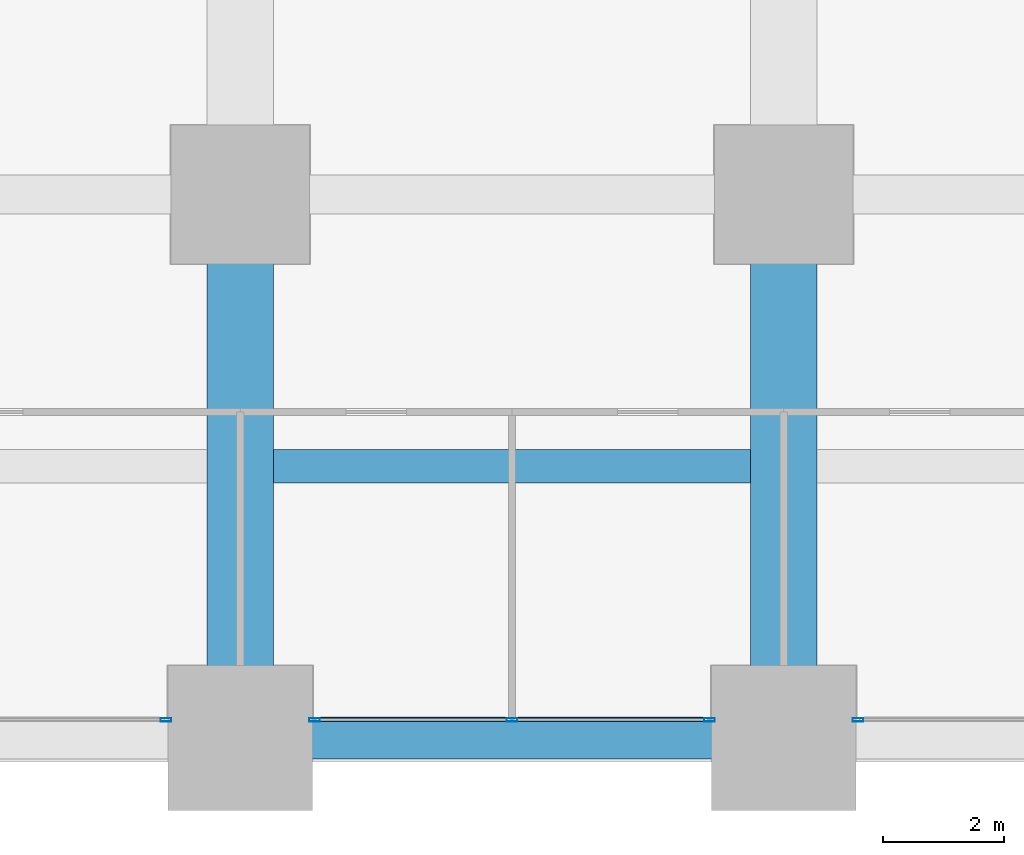
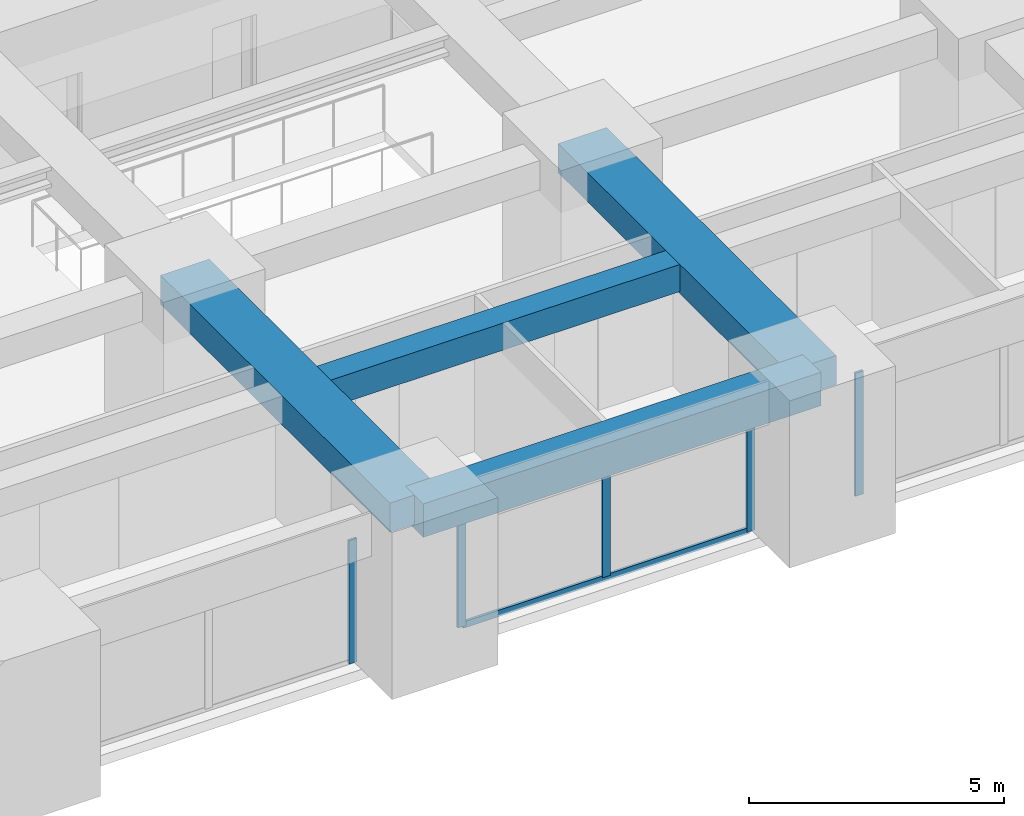
# One storey, part 13 of 45: 6 members, 4 beams, 3 elements without a shape of their own.
"""IFC4 building model written with IfcOpenShell, lengths in metres."""

from ifc_helpers import new_model, si_unit, direction, frame, origin, origin_2d, place, context, subcontext, project, spatial, rectangle, hollow_rectangle, extrude, material, material_profile, profile_set, type_object, element, aggregate, save


model = new_model("IFC4")

# Units and contexts
model_context = context("Model", 3, precision=1e-05, world=origin(), true_north=direction((0.0, 1.0)))
body_context = subcontext(model_context, "Body", "Model", "MODEL_VIEW")
ifc_project = project(units=[si_unit("LENGTHUNIT", "METRE"), si_unit("AREAUNIT", "SQUARE_METRE"), si_unit("VOLUMEUNIT", "CUBIC_METRE"), si_unit("PLANEANGLEUNIT", "RADIAN"), si_unit("MASSUNIT", "GRAM", prefix="KILO")], contexts=[model_context])

# Site, building, storey
site_placement = place(None, origin())
site = spatial("IfcSite", under=ifc_project, at=site_placement, CompositionType="ELEMENT")
building_placement = place(site_placement, origin())
building = spatial("IfcBuilding", under=site, at=building_placement, Name="Zorevar Civic Tower", CompositionType="ELEMENT")
storey_placement = place(building_placement, frame((0.0, 0.0, 27.800048828125)))
storey = spatial("IfcBuildingStorey", under=building, at=storey_placement, Name="L06", CompositionType="ELEMENT", Elevation=27.800048828125)

# Beams
ifc_material_1 = material(Name="Concrete C50/60", Category="concrete")
ifc_material_profile_1 = material_profile(ifc_material_1, rectangle(XDim=1.10009765625, YDim=0.699951171875, at=origin_2d()), Name="RC 1100x700")
ifc_profile_set_1 = profile_set([ifc_material_profile_1], Name="Concrete C50/60")
beam_type_1 = type_object("IfcBeamType", Name="Beam RC 1100x700", PredefinedType="BEAM", material=ifc_profile_set_1)
for number, where, z_axis, x_axis, name in (
    (1, (36.0, 0.0, 3.39990234375), (0.0, 1.0, 0.0), (-1.0, 0.0, 0.0), "Girder L07"),
    (2, (45.0, 0.0, 3.39990234375), (0.0, 1.0, 0.0), (-1.0, 0.0, 0.0), "Girder L07"),
):
    element("IfcBeam", number, at=place(storey_placement, frame(where, z_axis=z_axis, x_axis=x_axis)), inside=storey, type_object=beam_type_1, Name=name, PredefinedType="BEAM", context=body_context, shape_type="SweptSolid", body=[
        extrude(rectangle(XDim=1.10009765625, YDim=0.699951171875, at=origin_2d()), origin(), (0.0, 0.0, 1.0), 9.0),
    ])
ifc_material_2 = material(Name="Concrete C50/60", Category="concrete")
ifc_material_profile_2 = material_profile(ifc_material_2, rectangle(XDim=0.550048828125, YDim=0.64990234375, at=origin_2d()), Name="RC 550x650")
ifc_profile_set_2 = profile_set([ifc_material_profile_2], Name="Concrete C50/60")
beam_type_2 = type_object("IfcBeamType", Name="Beam RC 550x650", PredefinedType="BEAM", material=ifc_profile_set_2)
beam_1_placement = place(storey_placement, frame((36.550048828125, 4.5, 3.425048828125), z_axis=(1.0, 0.0, 0.0), x_axis=(0.0, 1.0, 0.0)))
element("IfcBeam", 3, at=beam_1_placement, inside=storey, type_object=beam_type_2, Name="Secondary beam L07", PredefinedType="BEAM", context=body_context, shape_type="SweptSolid", body=[
    extrude(rectangle(XDim=0.550048828125, YDim=0.64990234375, at=origin_2d()), origin(), (0.0, 0.0, 1.0), 7.89990234375),
])

# Curtain wall, member
ifc_material_3 = material(Name="Dark grey solar-control glass in black aluminium frame", Category="aluminium")
curtain_wall_type = type_object("IfcCurtainWallType", Name="Curtain wall CW2 low zone", PredefinedType="NOTDEFINED", material=ifc_material_3)
curtain_wall_1_placement = place(storey_placement, origin())
curtain_wall_1 = element("IfcCurtainWall", 4, at=curtain_wall_1_placement, inside=storey, type_object=curtain_wall_type, Name="CW2 L06", PredefinedType="NOTDEFINED")
ifc_material_4 = material(Name="Aluminium, black anodised", Category="aluminium")
ifc_material_profile_3 = material_profile(ifc_material_4, hollow_rectangle(XDim=0.06005859375, YDim=0.179931640625, WallThickness=0.00390625, at=origin_2d()), Name="AL 180x60x4")
ifc_profile_set_3 = profile_set([ifc_material_profile_3], Name="Aluminium, black anodised")
member_type_1 = type_object("IfcMemberType", Name="CW2 mullion AL 180x60x4", PredefinedType="MULLION", material=ifc_profile_set_3)
member_1_placement = place(storey_placement, frame((34.77001953125, 0.300048828125, 0.0), z_axis=(0.0, 0.0, 1.0), x_axis=(0.0, 1.0, 0.0)))
member_1 = element("IfcMember", 5, at=member_1_placement, type_object=member_type_1, Name="CW2 mullion 3", PredefinedType="MULLION", context=body_context, shape_type="SweptSolid", body=[
    extrude(hollow_rectangle(XDim=0.06005859375, YDim=0.179931640625, WallThickness=0.00390625, at=origin_2d()), origin(), (0.0, 0.0, 1.0), 2.949951171875),
])
aggregate(curtain_wall_1, [member_1])

# Curtain wall, members
curtain_wall_2_placement = place(storey_placement, origin())
curtain_wall_2 = element("IfcCurtainWall", 6, at=curtain_wall_2_placement, inside=storey, type_object=curtain_wall_type, Name="CW2 L06", PredefinedType="NOTDEFINED")
member_2_placement = place(storey_placement, frame((37.22998046875, 0.300048828125, 0.0), z_axis=(0.0, 0.0, 1.0), x_axis=(0.0, 1.0, 0.0)))
member_2 = element("IfcMember", 7, at=member_2_placement, type_object=member_type_1, Name="CW2 mullion 1", PredefinedType="MULLION", context=body_context, shape_type="SweptSolid", body=[
    extrude(hollow_rectangle(XDim=0.06005859375, YDim=0.179931640625, WallThickness=0.00390625, at=origin_2d()), origin(), (0.0, 0.0, 1.0), 2.949951171875),
])
member_3_placement = place(storey_placement, frame((40.5, 0.300048828125, 0.06005859375), z_axis=(0.0, 0.0, 1.0), x_axis=(0.0, 1.0, 0.0)))
member_3 = element("IfcMember", 8, at=member_3_placement, type_object=member_type_1, Name="CW2 mullion 2", PredefinedType="MULLION", context=body_context, shape_type="SweptSolid", body=[
    extrude(hollow_rectangle(XDim=0.06005859375, YDim=0.179931640625, WallThickness=0.00390625, at=origin_2d()), origin(), (0.0, 0.0, 1.0), 2.889892578125),
])
member_4_placement = place(storey_placement, frame((43.77001953125, 0.300048828125, 0.0), z_axis=(0.0, 0.0, 1.0), x_axis=(0.0, 1.0, 0.0)))
member_4 = element("IfcMember", 9, at=member_4_placement, type_object=member_type_1, Name="CW2 mullion 3", PredefinedType="MULLION", context=body_context, shape_type="SweptSolid", body=[
    extrude(hollow_rectangle(XDim=0.06005859375, YDim=0.179931640625, WallThickness=0.00390625, at=origin_2d()), origin(), (0.0, 0.0, 1.0), 2.949951171875),
])

# Curtain wall, member
curtain_wall_3_placement = place(storey_placement, origin())
curtain_wall_3 = element("IfcCurtainWall", 10, at=curtain_wall_3_placement, inside=storey, type_object=curtain_wall_type, Name="CW2 L06", PredefinedType="NOTDEFINED")
member_5_placement = place(storey_placement, frame((46.22998046875, 0.300048828125, 0.0), z_axis=(0.0, 0.0, 1.0), x_axis=(0.0, 1.0, 0.0)))
member_5 = element("IfcMember", 11, at=member_5_placement, type_object=member_type_1, Name="CW2 mullion 1", PredefinedType="MULLION", context=body_context, shape_type="SweptSolid", body=[
    extrude(hollow_rectangle(XDim=0.06005859375, YDim=0.179931640625, WallThickness=0.00390625, at=origin_2d()), origin(), (0.0, 0.0, 1.0), 2.949951171875),
])
aggregate(curtain_wall_3, [member_5])

# Member
ifc_material_5 = material(Name="Aluminium, black anodised", Category="aluminium")
ifc_material_profile_4 = material_profile(ifc_material_5, hollow_rectangle(XDim=0.06005859375, YDim=0.14990234375, WallThickness=0.00390625, at=origin_2d()), Name="AL 150x60x4")
ifc_profile_set_4 = profile_set([ifc_material_profile_4], Name="Aluminium, black anodised")
member_type_2 = type_object("IfcMemberType", Name="CW2 transom AL 150x60x4", PredefinedType="USERDEFINED", material=ifc_profile_set_4)
member_6_placement = place(storey_placement, frame((37.260009765625, 0.300048828125, 0.030029296875), z_axis=(1.0, 0.0, 0.0), x_axis=(0.0, 1.0, 0.0)))
member_6 = element("IfcMember", 12, at=member_6_placement, type_object=member_type_2, Name="CW2 sill transom", ObjectType="TRANSOM", PredefinedType="USERDEFINED", context=body_context, shape_type="SweptSolid", body=[
    extrude(hollow_rectangle(XDim=0.06005859375, YDim=0.14990234375, WallThickness=0.00390625, at=origin_2d()), origin(), (0.0, 0.0, 1.0), 6.47998046875),
])

aggregate(curtain_wall_2, [member_2, member_3, member_4, member_6])

# Beam
ifc_material_6 = material(Name="Concrete C50/60", Category="concrete")
ifc_material_profile_5 = material_profile(ifc_material_6, rectangle(XDim=0.699951171875, YDim=0.800048828125, at=origin_2d()), Name="RC 700x800")
ifc_profile_set_5 = profile_set([ifc_material_profile_5], Name="Concrete C50/60")
beam_type_3 = type_object("IfcBeamType", Name="Edge beam RC 700x800", PredefinedType="SPANDREL", material=ifc_profile_set_5)
beam_2_placement = place(storey_placement, frame((36.0, 0.0, 3.349853515625), z_axis=(1.0, 0.0, 0.0), x_axis=(0.0, 1.0, 0.0)))
element("IfcBeam", 13, at=beam_2_placement, inside=storey, type_object=beam_type_3, Name="Edge beam L07", PredefinedType="SPANDREL", context=body_context, shape_type="SweptSolid", body=[
    extrude(rectangle(XDim=0.699951171875, YDim=0.800048828125, at=origin_2d()), origin(), (0.0, 0.0, 1.0), 9.0),
])

save(model, "model.ifc")
